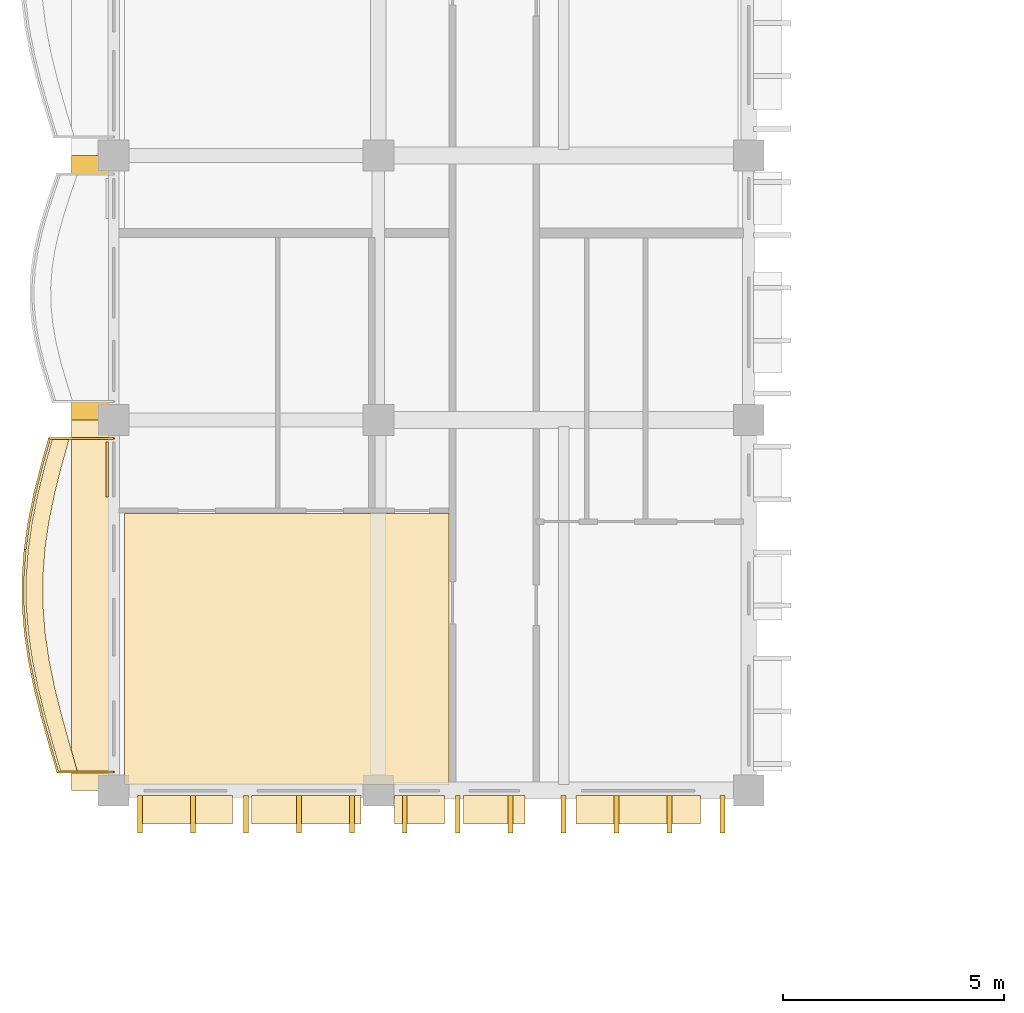
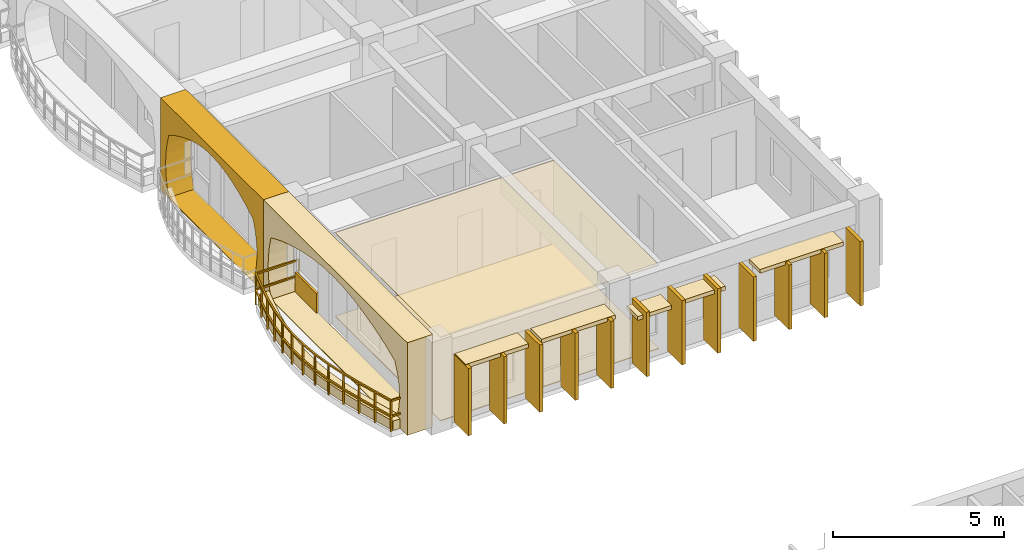
# One storey, part 77 of 101: 23 coverings, 1 railing.
"""IFC4 building model written with IfcOpenShell, lengths in metres."""

import ifcopenshell
import ifcopenshell.guid

model = None  # the IFC model being written
_history = None  # IfcOwnerHistory: only IFC2X3 demands one
_inside = {}  # id of a spatial element -> (the spatial element, [elements in it])
_under = {}  # id of a project, library or spatial element -> (it, [spatial elements below it])
_declared = {}  # id of a project -> (the project, [libraries it declares])
_typed = {}  # id of a type object -> (the type object, [elements of that type])
_made_of = {}  # id of a material, layer set ... -> (it, [elements and type objects made of it])


def new_model(schema):
    """Start an empty IFC model of exactly this schema.

    Asked for "IFC4X3", IfcOpenShell would pick the latest addendum, in which some entities
    have other attributes; the version numbers below select the first issue.
    IFC2X3 requires an IfcOwnerHistory on every rooted entity: one is made here for all.
    """
    global model, _history
    if schema == "IFC4X3":
        model = ifcopenshell.file(schema_version=(4, 3, 0, 0))
    else:
        model = ifcopenshell.file(schema=schema)
    _inside.clear()
    _under.clear()
    _declared.clear()
    _typed.clear()
    _made_of.clear()
    _history = None
    if model.schema == "IFC2X3":
        org = make("IfcOrganization", Name="unknown")
        user = make(
            "IfcPersonAndOrganization",
            ThePerson=make("IfcPerson", FamilyName="unknown"),
            TheOrganization=org,
        )
        app = make(
            "IfcApplication",
            ApplicationDeveloper=org,
            Version="unknown",
            ApplicationFullName="unknown",
            ApplicationIdentifier="unknown",
        )
        _history = make(
            "IfcOwnerHistory",
            OwningUser=user,
            OwningApplication=app,
            ChangeAction="ADDED",
            CreationDate=0,
        )
    return model


def make(cls, **values):
    """One entity of the class cls with the attributes given. An attribute that is None is left unset."""
    return model.create_entity(
        cls, **{name: value for name, value in values.items() if value is not None}
    )


def rooted(cls, **values):
    """An entity with a GlobalId (a new one), such as an element, a storey or a relation."""
    return make(cls, GlobalId=ifcopenshell.guid.new(), OwnerHistory=_history, **values)


def si_unit(unit_type, name, prefix=None):
    """IfcSIUnit, for example si_unit("LENGTHUNIT", "METRE", prefix="MILLI")."""
    return make("IfcSIUnit", UnitType=unit_type, Prefix=prefix, Name=name)


def assignment(units):
    """IfcUnitAssignment: the units of a project."""
    return None if units is None else make("IfcUnitAssignment", Units=units)


def point(xyz):
    """IfcCartesianPoint."""
    return None if xyz is None else make("IfcCartesianPoint", Coordinates=xyz)


def direction(xyz):
    """IfcDirection."""
    return None if xyz is None else make("IfcDirection", DirectionRatios=xyz)


def frame(location, z_axis=None, x_axis=None):
    """IfcAxis2Placement3D, a coordinate frame: its origin and axes. An axis left out is left unset."""
    return make(
        "IfcAxis2Placement3D",
        Location=point(location),
        Axis=direction(z_axis),
        RefDirection=direction(x_axis),
    )


def frame_2d(location, x_axis=None):
    """IfcAxis2Placement2D, a coordinate frame in the plane: its origin and x axis."""
    return make(
        "IfcAxis2Placement2D", Location=point(location), RefDirection=direction(x_axis)
    )


def origin():
    """The frame at (0, 0, 0) with its axes left unset."""
    return frame((0.0, 0.0, 0.0))


def origin_2d():
    """The frame at (0, 0) in the plane with its x axis left unset."""
    return frame_2d((0.0, 0.0))


def place(relative_to, where):
    """IfcLocalPlacement: puts the frame where relative to a parent placement (None: the world)."""
    return make(
        "IfcLocalPlacement", PlacementRelTo=relative_to, RelativePlacement=where
    )


def context(
    kind, dimensions, precision=None, world=None, true_north=None, identifier=None
):
    """IfcGeometricRepresentationContext, for example the 3D "Model" context."""
    return make(
        "IfcGeometricRepresentationContext",
        ContextIdentifier=identifier,
        ContextType=kind,
        CoordinateSpaceDimension=dimensions,
        Precision=precision,
        WorldCoordinateSystem=world,
        TrueNorth=true_north,
    )


def subcontext(parent, identifier, kind, view, scale=None):
    """IfcGeometricRepresentationSubContext, for example "Body" below "Model"."""
    return make(
        "IfcGeometricRepresentationSubContext",
        ContextIdentifier=identifier,
        ContextType=kind,
        ParentContext=parent,
        TargetScale=scale,
        TargetView=view,
    )


def project(units=None, contexts=None):
    """IfcProject with its units and contexts."""
    return rooted(
        "IfcProject",
        Name="project",
        RepresentationContexts=contexts,
        UnitsInContext=assignment(units),
    )


def spatial(cls, under=None, at=None, **own):
    """A site, building, storey or space (cls), placed at a placement, below another one or the project."""
    s = rooted(cls, ObjectPlacement=at, **own)
    if under is not None:
        _under.setdefault(under.id(), (under, []))[1].append(s)
    return s


def polyline(points):
    """IfcPolyline through the points."""
    return make("IfcPolyline", Points=[point(p) for p in points])


def profile(cls, at=None, kind="AREA", **sizes):
    """A parametric profile (cls). Its sizes go by their IFC names, for example OverallWidth=200.0."""
    return make(cls, ProfileType=kind, Position=at, **sizes)


def rectangle(**sizes):
    """IfcRectangleProfileDef."""
    return profile("IfcRectangleProfileDef", **sizes)


def outline(outer, holes=None, kind="AREA"):
    """IfcArbitraryClosedProfileDef: a profile drawn as a closed curve; with holes, ...WithVoids."""
    if holes is None:
        return make("IfcArbitraryClosedProfileDef", ProfileType=kind, OuterCurve=outer)
    return make(
        "IfcArbitraryProfileDefWithVoids",
        ProfileType=kind,
        OuterCurve=outer,
        InnerCurves=holes,
    )


def extrude(swept, where, along, depth):
    """IfcExtrudedAreaSolid: the profile swept, set in the frame where, extruded along a direction by depth."""
    return make(
        "IfcExtrudedAreaSolid",
        SweptArea=swept,
        Position=where,
        ExtrudedDirection=direction(along),
        Depth=depth,
    )


def shape(context_of_items, identifier, shape_type, items):
    """IfcShapeRepresentation: the items that make up one representation, for example the "Body"."""
    return make(
        "IfcShapeRepresentation",
        ContextOfItems=context_of_items,
        RepresentationIdentifier=identifier,
        RepresentationType=shape_type,
        Items=items,
    )


def material(Name=None, Category=None):
    """IfcMaterial."""
    return make("IfcMaterial", Name=Name, Category=Category)


def layer(
    of_material, thickness, ventilated=None, Name=None, Category=None, Priority=None
):
    """IfcMaterialLayer: one layer of a wall or slab, of a material (None: an air gap)."""
    return make(
        "IfcMaterialLayer",
        Material=of_material,
        LayerThickness=thickness,
        IsVentilated=ventilated,
        Name=Name,
        Category=Category,
        Priority=Priority,
    )


def layer_set(layers, Name=None):
    """IfcMaterialLayerSet."""
    return make("IfcMaterialLayerSet", MaterialLayers=layers, LayerSetName=Name)


def made_of(thing, what):
    """Note that an element or type object is made of a material, layer set ...; save() writes the relation."""
    if what is not None:
        _made_of.setdefault(what.id(), (what, []))[1].append(thing)
    return thing


def type_object(cls, material=None, **own):
    """A type object (cls), such as IfcWallType, which elements share."""
    return made_of(rooted(cls, **own), material)


def element(
    cls,
    number,
    at=None,
    inside=None,
    cuts=None,
    type_object=None,
    material=None,
    context=None,
    identifier="Body",
    shape_type=None,
    held_by="IfcProductDefinitionShape",
    body=None,
    shapes=None,
    **own,
):
    """One element of the class cls, such as IfcWall. Its Tag is "e" and its number.

    at: its placement. inside: the storey or other place that contains it. cuts: it is an
    opening in that element (IfcRelVoidsElement). A single representation is given by context,
    identifier, shape_type and body (its items); several are given by shapes. held_by: the class
    of the entity that holds the representations. save() writes the other relations.
    """
    e = rooted(cls, Tag="e%d" % number, ObjectPlacement=at, **own)
    if body is not None:
        shapes = [shape(context, identifier, shape_type, body)]
    if shapes is not None:
        e.Representation = make(held_by, Representations=shapes)
    if inside is not None:
        _inside.setdefault(inside.id(), (inside, []))[1].append(e)
    if cuts is not None:
        rooted(
            "IfcRelVoidsElement", RelatingBuildingElement=cuts, RelatedOpeningElement=e
        )
    if type_object is not None:
        _typed.setdefault(type_object.id(), (type_object, []))[1].append(e)
    return made_of(e, material)


def aggregate(whole, parts):
    """IfcRelAggregates: a whole, such as a stair, and the parts it consists of."""
    return rooted("IfcRelAggregates", RelatingObject=whole, RelatedObjects=parts)


def save(model, path):
    """Write the relations noted so far, then the file.

    IfcRelAggregates (storeys below a building ...), IfcRelContainedInSpatialStructure (elements
    in a storey), IfcRelDefinesByType, IfcRelAssociatesMaterial and IfcRelDeclares: one each for
    every whole, place, type object, material and project.
    """
    for whole, parts in _under.values():
        aggregate(whole, parts)
    for where, things in _inside.values():
        rooted(
            "IfcRelContainedInSpatialStructure",
            RelatedElements=things,
            RelatingStructure=where,
        )
    for kind, things in _typed.values():
        rooted("IfcRelDefinesByType", RelatedObjects=things, RelatingType=kind)
    for what, things in _made_of.values():
        rooted("IfcRelAssociatesMaterial", RelatedObjects=things, RelatingMaterial=what)
    for by, libraries in _declared.values():
        rooted("IfcRelDeclares", RelatingContext=by, RelatedDefinitions=libraries)
    model.write(path)


model = new_model("IFC4")

# Units and contexts
model_context = context("Model", 3, precision=1e-05, world=origin(), true_north=direction((0.0, 1.0)))
body_context = subcontext(model_context, "Body", "Model", "MODEL_VIEW")
ifc_project = project(units=[si_unit("LENGTHUNIT", "METRE"), si_unit("AREAUNIT", "SQUARE_METRE"), si_unit("VOLUMEUNIT", "CUBIC_METRE"), si_unit("PLANEANGLEUNIT", "RADIAN"), si_unit("MASSUNIT", "GRAM", prefix="KILO"), si_unit("THERMODYNAMICTEMPERATUREUNIT", "KELVIN")], contexts=[model_context])

# Site, building, storey
site_placement = place(None, origin())
site = spatial("IfcSite", under=ifc_project, at=site_placement, CompositionType="ELEMENT")
building_placement = place(site_placement, origin())
building = spatial("IfcBuilding", under=site, at=building_placement, Name="Thalorik Housing Commons", CompositionType="ELEMENT")
storey_placement = place(building_placement, frame((0.0, 0.0, 8.10009765625)))
storey = spatial("IfcBuildingStorey", under=building, at=storey_placement, Name="L02", CompositionType="ELEMENT", Elevation=8.10009765625)

# Coverings
ifc_material_1 = material(Name="Precast concrete C40/50", Category="concrete")
ifc_layer_1 = layer(ifc_material_1, 0.85009765625, Name="Precast concrete C40/50", Category="concrete")
ifc_layer_set_1 = layer_set([ifc_layer_1], Name="Precast concrete C40/50")
covering_type_1 = type_object("IfcCoveringType", Name="ARC-CLD-CUSH-850", PredefinedType="CLADDING", material=ifc_layer_set_1)
covering_1_placement = place(storey_placement, frame((7.867431640625, 83.39990234375, 0.0), z_axis=(0.0, 0.0, 1.0), x_axis=(0.0, -1.0, 0.0)))
element("IfcCovering", 1, at=covering_1_placement, inside=storey, type_object=covering_type_1, Name="L02 White Precast Curved Cushion Bay Frame 202", PredefinedType="CLADDING", context=body_context, shape_type="SweptSolid", body=[
    extrude(outline(polyline([(-3.0, 0.0), (3.0, 0.0), (3.0, 3.300048828125), (-3.0, 3.300048828125), (-3.0, 0.0)]), holes=[polyline([(2.39990234375, 0.02490234375), (2.526611328125, 0.394287109375), (2.602783203125, 0.76318359375), (2.6279296875, 1.132568359375), (2.602783203125, 1.501708984375), (2.526611328125, 1.870849609375), (2.39990234375, 2.239990234375), (1.989501953125, 2.4833984375), (1.5791015625, 2.6748046875), (1.168701171875, 2.82958984375), (0.75830078125, 2.94482421875), (0.347900390625, 3.01611328125), (-0.0625, 3.0400390625), (-0.472900390625, 3.01611328125), (-0.88330078125, 2.94482421875), (-1.293701171875, 2.82958984375), (-1.7041015625, 2.6748046875), (-2.114501953125, 2.4833984375), (-2.52490234375, 2.239990234375), (-2.625244140625, 1.870849609375), (-2.685302734375, 1.501708984375), (-2.70556640625, 1.132568359375), (-2.685302734375, 0.76318359375), (-2.625244140625, 0.394287109375), (-2.52490234375, 0.02490234375), (2.39990234375, 0.02490234375)])]), frame((0.0, 0.425048828125, 0.0), z_axis=(0.0, -1.0, 0.0), x_axis=(1.0, 0.0, 0.0)), (0.0, 0.0, 1.0), 0.85009765625),
])
covering_2_placement = place(storey_placement, frame((7.867431640625, 76.199951171875, 0.0), z_axis=(0.0, 0.0, 1.0), x_axis=(0.0, -1.0, 0.0)))
element("IfcCovering", 2, at=covering_2_placement, inside=storey, type_object=covering_type_1, Name="L02 White Precast Curved Cushion Bay Frame 204", PredefinedType="CLADDING", context=body_context, shape_type="SweptSolid", body=[
    extrude(outline(polyline([(-4.199951171875, 0.0), (4.199951171875, 0.0), (4.199951171875, 3.300048828125), (-4.199951171875, 3.300048828125), (-4.199951171875, 0.0)]), holes=[polyline([(3.467529296875, 0.02490234375), (3.62451171875, 0.390869140625), (3.718505859375, 0.756591796875), (3.75, 1.12255859375), (3.718505859375, 1.48828125), (3.62451171875, 1.854248046875), (3.467529296875, 2.219970703125), (2.865478515625, 2.469482421875), (2.263671875, 2.66552734375), (1.661865234375, 2.824462890625), (1.06005859375, 2.9423828125), (0.4580078125, 3.015380859375), (-0.143798828125, 3.0400390625), (-0.74560546875, 3.015380859375), (-1.347412109375, 2.9423828125), (-1.949462890625, 2.824462890625), (-2.55126953125, 2.66552734375), (-3.153076171875, 2.469482421875), (-3.7548828125, 2.219970703125), (-3.848876953125, 1.854248046875), (-3.9052734375, 1.48828125), (-3.924072265625, 1.12255859375), (-3.9052734375, 0.756591796875), (-3.848876953125, 0.390869140625), (-3.7548828125, 0.02490234375), (3.467529296875, 0.02490234375)])]), frame((0.0, 0.425048828125, 0.0), z_axis=(0.0, -1.0, 0.0), x_axis=(1.0, 0.0, 0.0)), (0.0, 0.0, 1.0), 0.85009765625),
])
ifc_layer_2 = layer(ifc_material_1, 0.85009765625, Name="Precast concrete C40/50", Category="concrete")
ifc_layer_set_2 = layer_set([ifc_layer_2], Name="Precast concrete C40/50")
covering_type_2 = type_object("IfcCoveringType", Name="ARC-CLD-FIN-850", PredefinedType="CLADDING", material=ifc_layer_set_2)
for number, where, z_axis, x_axis, name in (
    (3, (9.0, 71.467529296875, 0.039794921875), (0.0, 0.0, 1.0), (1.0, 0.0, 0.0), "L02 Courtyard Precast Vertical Brise-Soleil Fin 206"),
    (4, (10.199951171875, 71.467529296875, 0.039794921875), (0.0, 0.0, 1.0), (1.0, 0.0, 0.0), "L02 Courtyard Precast Vertical Brise-Soleil Fin 207"),
    (5, (11.39990234375, 71.467529296875, 0.039794921875), (0.0, 0.0, 1.0), (1.0, 0.0, 0.0), "L02 Courtyard Precast Vertical Brise-Soleil Fin 208"),
    (6, (12.60009765625, 71.467529296875, 0.039794921875), (0.0, 0.0, 1.0), (1.0, 0.0, 0.0), "L02 Courtyard Precast Vertical Brise-Soleil Fin 209"),
    (7, (13.800048828125, 71.467529296875, 0.039794921875), (0.0, 0.0, 1.0), (1.0, 0.0, 0.0), "L02 Courtyard Precast Vertical Brise-Soleil Fin 210"),
):
    element("IfcCovering", number, at=place(storey_placement, frame(where, z_axis=z_axis, x_axis=x_axis)), inside=storey, type_object=covering_type_2, Name=name, PredefinedType="CLADDING", context=body_context, shape_type="SweptSolid", body=[
        extrude(rectangle(XDim=0.110107421875, YDim=0.85009765625, at=origin_2d()), origin(), (0.0, 0.0, 1.0), 2.39501953125),
    ])
for number, where, z_axis, x_axis, name in (
    (8, (15.0, 71.467529296875, 0.0400390625), (0.0, 0.0, 1.0), (1.0, 0.0, 0.0), "L02 Courtyard Precast Vertical Brise-Soleil Fin 213"),
    (9, (16.199951171875, 71.467529296875, 0.0400390625), (0.0, 0.0, 1.0), (1.0, 0.0, 0.0), "L02 Courtyard Precast Vertical Brise-Soleil Fin 214"),
    (10, (17.39990234375, 71.467529296875, 0.0400390625), (0.0, 0.0, 1.0), (1.0, 0.0, 0.0), "L02 Courtyard Precast Vertical Brise-Soleil Fin 215"),
    (11, (18.60009765625, 71.467529296875, 0.0400390625), (0.0, 0.0, 1.0), (1.0, 0.0, 0.0), "L02 Courtyard Precast Vertical Brise-Soleil Fin 216"),
    (12, (19.800048828125, 71.467529296875, 0.0400390625), (0.0, 0.0, 1.0), (1.0, 0.0, 0.0), "L02 Courtyard Precast Vertical Brise-Soleil Fin 217"),
    (13, (21.0, 71.467529296875, 0.0400390625), (0.0, 0.0, 1.0), (1.0, 0.0, 0.0), "L02 Courtyard Precast Vertical Brise-Soleil Fin 218"),
    (14, (22.199951171875, 71.467529296875, 0.0400390625), (0.0, 0.0, 1.0), (1.0, 0.0, 0.0), "L02 Courtyard Precast Vertical Brise-Soleil Fin 219"),
):
    element("IfcCovering", number, at=place(storey_placement, frame(where, z_axis=z_axis, x_axis=x_axis)), inside=storey, type_object=covering_type_2, Name=name, PredefinedType="CLADDING", context=body_context, shape_type="SweptSolid", body=[
        extrude(rectangle(XDim=0.110107421875, YDim=0.85009765625, at=origin_2d()), origin(), (0.0, 0.0, 1.0), 2.294921875),
    ])
ifc_layer_3 = layer(ifc_material_1, 0.64990234375, Name="Precast concrete C40/50", Category="concrete")
ifc_layer_set_3 = layer_set([ifc_layer_3], Name="Precast concrete C40/50")
covering_type_3 = type_object("IfcCoveringType", Name="ARC-CLD-HOOD-650", PredefinedType="CLADDING", material=ifc_layer_set_3)
covering_3_placement = place(storey_placement, frame((10.030029296875, 71.5673828125, 2.31005859375), z_axis=(0.0, 0.0, 1.0), x_axis=(1.0, 0.0, 0.0)))
element("IfcCovering", 15, at=covering_3_placement, inside=storey, type_object=covering_type_3, Name="L02 Courtyard Precast Window Sun-Hood 211", PredefinedType="CLADDING", context=body_context, shape_type="SweptSolid", body=[
    extrude(rectangle(XDim=2.1201171875, YDim=0.64990234375, at=origin_2d()), origin(), (0.0, 0.0, 1.0), 0.139892578125),
])
covering_4_placement = place(storey_placement, frame((12.77001953125, 71.5673828125, 2.31005859375), z_axis=(0.0, 0.0, 1.0), x_axis=(1.0, 0.0, 0.0)))
element("IfcCovering", 16, at=covering_4_placement, inside=storey, type_object=covering_type_3, Name="L02 Courtyard Precast Window Sun-Hood 212", PredefinedType="CLADDING", context=body_context, shape_type="SweptSolid", body=[
    extrude(rectangle(XDim=2.47998046875, YDim=0.64990234375, at=origin_2d()), origin(), (0.0, 0.0, 1.0), 0.139892578125),
])
covering_5_placement = place(storey_placement, frame((15.3349609375, 71.5673828125, 1.98974609375), z_axis=(0.0, 0.0, 1.0), x_axis=(1.0, 0.0, 0.0)))
element("IfcCovering", 17, at=covering_5_placement, inside=storey, type_object=covering_type_3, Name="L02 Courtyard Precast Window Sun-Hood 220", PredefinedType="CLADDING", context=body_context, shape_type="SweptSolid", body=[
    extrude(rectangle(XDim=1.139892578125, YDim=0.64990234375, at=origin_2d()), origin(), (0.0, 0.0, 1.0), 0.139892578125),
])
covering_6_placement = place(storey_placement, frame((17.030029296875, 71.5673828125, 2.0400390625), z_axis=(0.0, 0.0, 1.0), x_axis=(1.0, 0.0, 0.0)))
element("IfcCovering", 18, at=covering_6_placement, inside=storey, type_object=covering_type_3, Name="L02 Courtyard Precast Window Sun-Hood 221", PredefinedType="CLADDING", context=body_context, shape_type="SweptSolid", body=[
    extrude(rectangle(XDim=1.389892578125, YDim=0.64990234375, at=origin_2d()), origin(), (0.0, 0.0, 1.0), 0.139892578125),
])
covering_7_placement = place(storey_placement, frame((20.294921875, 71.5673828125, 2.22509765625), z_axis=(0.0, 0.0, 1.0), x_axis=(1.0, 0.0, 0.0)))
element("IfcCovering", 19, at=covering_7_placement, inside=storey, type_object=covering_type_3, Name="L02 Courtyard Precast Window Sun-Hood 222", PredefinedType="CLADDING", context=body_context, shape_type="SweptSolid", body=[
    extrude(rectangle(XDim=2.820068359375, YDim=0.64990234375, at=origin_2d()), origin(), (0.0, 0.0, 1.0), 0.139892578125),
])
ifc_material_2 = material(Name="Mineral ochre architectural terracotta panel", Category="masonry")
ifc_layer_4 = layer(ifc_material_2, 0.06494140625, Name="Mineral ochre architectural terracotta panel", Category="masonry")
ifc_layer_set_4 = layer_set([ifc_layer_4], Name="Mineral ochre architectural terracotta panel")
covering_type_4 = type_object("IfcCoveringType", Name="ARC-CLD-YEL-65", PredefinedType="CLADDING", material=ifc_layer_set_4)
covering_8_placement = place(storey_placement, frame((8.2548828125, 79.280029296875, 0.0498046875), z_axis=(0.0, 0.0, 1.0), x_axis=(0.0, -1.0, 0.0)))
element("IfcCovering", 20, at=covering_8_placement, inside=storey, type_object=covering_type_4, Name="L02 De Stijl Recessed Window Spandrel 205", PredefinedType="CLADDING", context=body_context, shape_type="SweptSolid", body=[
    extrude(rectangle(XDim=1.25, YDim=0.06494140625, at=origin_2d()), origin(), (0.0, 0.0, 1.0), 0.699951171875),
])
ifc_material_3 = material(Name="Fire-rated calcium silicate corridor ceiling")
ifc_layer_5 = layer(ifc_material_3, 0.030029296875, Name="Fire-rated calcium silicate corridor ceiling")
ifc_layer_set_5 = layer_set([ifc_layer_5], Name="Fire-rated calcium silicate corridor ceiling")
covering_type_5 = type_object("IfcCoveringType", Name="ARC-COV-CEIL-05", PredefinedType="CEILING", material=ifc_layer_set_5)
covering_9_placement = place(storey_placement, frame((0.0, 0.0, 2.969970703125)))
element("IfcCovering", 21, at=covering_9_placement, inside=storey, type_object=covering_type_5, Name="L02 Family Lounge Suspended Ceiling", PredefinedType="CEILING", context=body_context, shape_type="SweptSolid", body=[
    extrude(outline(polyline([(16.0, 78.280029296875), (8.639892578125, 78.280029296875), (8.639892578125, 72.139892578125), (16.0, 72.139892578125), (16.0, 78.280029296875)])), origin(), (0.0, 0.0, 1.0), 0.030029296875),
])
ifc_material_4 = material(Name="Heavy-duty porcelain metro vestibule tile")
ifc_layer_6 = layer(ifc_material_4, 0.028076171875, Name="Heavy-duty porcelain metro vestibule tile")
ifc_layer_set_6 = layer_set([ifc_layer_6], Name="Heavy-duty porcelain metro vestibule tile")
covering_type_6 = type_object("IfcCoveringType", Name="ARC-COV-FLR-05", PredefinedType="FLOORING", material=ifc_layer_set_6)
covering_10_placement = place(storey_placement, origin())
element("IfcCovering", 22, at=covering_10_placement, inside=storey, type_object=covering_type_6, Name="L02 Family Lounge Flooring", PredefinedType="FLOORING", context=body_context, shape_type="SweptSolid", body=[
    extrude(outline(polyline([(16.0, 78.280029296875), (8.639892578125, 78.280029296875), (8.639892578125, 72.139892578125), (16.0, 72.139892578125), (16.0, 78.280029296875)])), origin(), (0.0, 0.0, 1.0), 0.02783203125),
])
ifc_material_5 = material(Name="Planted vegetated substrate and terracotta trough", Category="masonry")
ifc_layer_7 = layer(ifc_material_5, 0.340087890625, Name="Planted vegetated substrate and terracotta trough", Category="masonry")
ifc_layer_set_7 = layer_set([ifc_layer_7], Name="Planted vegetated substrate and terracotta trough")
covering_type_7 = type_object("IfcCoveringType", Name="ARC-COV-PLANTER", PredefinedType="USERDEFINED", material=ifc_layer_set_7)
covering_11_placement = place(storey_placement, origin())
element("IfcCovering", 23, at=covering_11_placement, inside=storey, type_object=covering_type_7, Name="L02 Balcony Slab-Edge Planted Trough 5322", ObjectType="PLANTER", PredefinedType="USERDEFINED", context=body_context, shape_type="SweptSolid", body=[
    extrude(outline(polyline([(7.0126953125, 79.97998046875), (6.8359375, 79.35009765625), (6.677978515625, 78.719970703125), (6.5498046875, 78.090087890625), (6.4599609375, 77.4599609375), (6.41455078125, 76.830078125), (6.41650390625, 76.199951171875), (6.4658203125, 75.570068359375), (6.55859375, 74.93994140625), (6.6884765625, 74.31005859375), (6.84619140625, 73.679931640625), (7.02099609375, 73.050048828125), (7.20068359375, 72.419921875), (7.580810546875, 72.419921875), (7.401123046875, 73.050048828125), (7.226318359375, 73.679931640625), (7.068359375, 74.31005859375), (6.938720703125, 74.93994140625), (6.845703125, 75.570068359375), (6.796630859375, 76.199951171875), (6.79443359375, 76.830078125), (6.83984375, 77.4599609375), (6.9296875, 78.090087890625), (7.05810546875, 78.719970703125), (7.2158203125, 79.35009765625), (7.392578125, 79.97998046875), (7.0126953125, 79.97998046875)])), origin(), (0.0, 0.0, 1.0), 0.33984375),
])

# Railing
ifc_material_6 = material(Name="Steel S355", Category="steel")
railing_type = type_object("IfcRailingType", Name="ARC-RL-BAL-112", PredefinedType="BALUSTRADE", material=ifc_material_6)
railing_placement = place(storey_placement, frame((8.39990234375, 79.97998046875, 0.0)))
element("IfcRailing", 24, at=railing_placement, inside=storey, type_object=railing_type, Name="L02 Cushion Balcony Guardrail 6", PredefinedType="BALUSTRADE", context=body_context, shape_type="SweptSolid", body=[
    extrude(rectangle(XDim=0.050048828125, YDim=0.050048828125, at=origin_2d()), frame((0.0, 0.0, 1.09521484375), z_axis=(-1.0, 0.0, 0.0), x_axis=(0.0, -1.0, 0.0)), (0.0, 0.0, 1.0), 1.457275390625),
    extrude(rectangle(XDim=0.050048828125, YDim=0.050048828125, at=origin_2d()), frame((0.0, 0.0, 0.53515625), z_axis=(-1.0, 0.0, 0.0), x_axis=(0.0, -1.0, 0.0)), (0.0, 0.0, 1.0), 1.457275390625),
    extrude(rectangle(XDim=0.050048828125, YDim=0.050048828125, at=origin_2d()), frame((-1.457275390625, 0.0, 1.09521484375), z_axis=(-0.270183563023, -0.962808829557, 0.0), x_axis=(0.962808829557, -0.270183563023, 0.0)), (0.0, 0.0, 1.0), 0.654296875),
    extrude(rectangle(XDim=0.050048828125, YDim=0.050048828125, at=origin_2d()), frame((-1.457275390625, 0.0, 0.53515625), z_axis=(-0.270183563023, -0.962808829557, 0.0), x_axis=(0.962808829557, -0.270183563023, 0.0)), (0.0, 0.0, 1.0), 0.654296875),
    extrude(rectangle(XDim=0.050048828125, YDim=0.050048828125, at=origin_2d()), frame((-1.634033203125, -0.6298828125, 1.09521484375), z_axis=(-0.243154570848, -0.969987553877, 0.0), x_axis=(0.969987553877, -0.243154570848, 0.0)), (0.0, 0.0, 1.0), 0.649658203125),
    extrude(rectangle(XDim=0.050048828125, YDim=0.050048828125, at=origin_2d()), frame((-1.634033203125, -0.6298828125, 0.53515625), z_axis=(-0.243154570848, -0.969987553877, 0.0), x_axis=(0.969987553877, -0.243154570848, 0.0)), (0.0, 0.0, 1.0), 0.649658203125),
    extrude(rectangle(XDim=0.050048828125, YDim=0.050048828125, at=origin_2d()), frame((-1.7919921875, -1.260009765625, 1.09521484375), z_axis=(-0.199401877541, -0.979917798202, 0.0), x_axis=(0.979917798202, -0.199401877541, 0.0)), (0.0, 0.0, 1.0), 0.642822265625),
    extrude(rectangle(XDim=0.050048828125, YDim=0.050048828125, at=origin_2d()), frame((-1.7919921875, -1.260009765625, 0.53515625), z_axis=(-0.199401877541, -0.979917798202, 0.0), x_axis=(0.979917798202, -0.199401877541, 0.0)), (0.0, 0.0, 1.0), 0.642822265625),
    extrude(rectangle(XDim=0.050048828125, YDim=0.050048828125, at=origin_2d()), frame((-1.920166015625, -1.889892578125, 1.09521484375), z_axis=(-0.14115285376, -0.989987814004, 0.0), x_axis=(0.989987814004, -0.14115285376, 0.0)), (0.0, 0.0, 1.0), 0.636474609375),
    extrude(rectangle(XDim=0.050048828125, YDim=0.050048828125, at=origin_2d()), frame((-1.920166015625, -1.889892578125, 0.53515625), z_axis=(-0.14115285376, -0.989987814004, 0.0), x_axis=(0.989987814004, -0.14115285376, 0.0)), (0.0, 0.0, 1.0), 0.636474609375),
    extrude(rectangle(XDim=0.050048828125, YDim=0.050048828125, at=origin_2d()), frame((-2.010009765625, -2.52001953125, 1.09521484375), z_axis=(-0.071906402117, -0.997411384201, 0.0), x_axis=(0.997411384201, -0.071906402117, 0.0)), (0.0, 0.0, 1.0), 0.631591796875),
    extrude(rectangle(XDim=0.050048828125, YDim=0.050048828125, at=origin_2d()), frame((-2.010009765625, -2.52001953125, 0.53515625), z_axis=(-0.071906402117, -0.997411384201, 0.0), x_axis=(0.997411384201, -0.071906402117, 0.0)), (0.0, 0.0, 1.0), 0.631591796875),
    extrude(rectangle(XDim=0.050048828125, YDim=0.050048828125, at=origin_2d()), frame((-2.055419921875, -3.14990234375, 1.09521484375), z_axis=(0.003486999335, -0.999993920399, 0.0), x_axis=(0.999993920399, 0.003486999335, 0.0)), (0.0, 0.0, 1.0), 0.630126953125),
    extrude(rectangle(XDim=0.050048828125, YDim=0.050048828125, at=origin_2d()), frame((-2.055419921875, -3.14990234375, 0.53515625), z_axis=(0.003486999335, -0.999993920399, 0.0), x_axis=(0.999993920399, 0.003486999335, 0.0)), (0.0, 0.0, 1.0), 0.630126953125),
    extrude(rectangle(XDim=0.050048828125, YDim=0.050048828125, at=origin_2d()), frame((-2.05322265625, -3.780029296875, 1.09521484375), z_axis=(0.077671619497, -0.996978996531, 0.0), x_axis=(0.996978996531, 0.077671619497, 0.0)), (0.0, 0.0, 1.0), 0.6318359375),
    extrude(rectangle(XDim=0.050048828125, YDim=0.050048828125, at=origin_2d()), frame((-2.05322265625, -3.780029296875, 0.53515625), z_axis=(0.077671619497, -0.996978996531, 0.0), x_axis=(0.996978996531, 0.077671619497, 0.0)), (0.0, 0.0, 1.0), 0.6318359375),
    extrude(rectangle(XDim=0.050048828125, YDim=0.050048828125, at=origin_2d()), frame((-2.004150390625, -4.409912109375, 1.09521484375), z_axis=(0.145659518015, -0.989334778936, 0.0), x_axis=(0.989334778936, 0.145659518015, 0.0)), (0.0, 0.0, 1.0), 0.636962890625),
    extrude(rectangle(XDim=0.050048828125, YDim=0.050048828125, at=origin_2d()), frame((-2.004150390625, -4.409912109375, 0.53515625), z_axis=(0.145659518015, -0.989334778936, 0.0), x_axis=(0.989334778936, 0.145659518015, 0.0)), (0.0, 0.0, 1.0), 0.636962890625),
    extrude(rectangle(XDim=0.050048828125, YDim=0.050048828125, at=origin_2d()), frame((-1.911376953125, -5.0400390625, 1.09521484375), z_axis=(0.201952819313, -0.979395251557, 0.0), x_axis=(0.979395251557, 0.201952819313, 0.0)), (0.0, 0.0, 1.0), 0.64306640625),
    extrude(rectangle(XDim=0.050048828125, YDim=0.050048828125, at=origin_2d()), frame((-1.911376953125, -5.0400390625, 0.53515625), z_axis=(0.201952819313, -0.979395251557, 0.0), x_axis=(0.979395251557, 0.201952819313, 0.0)), (0.0, 0.0, 1.0), 0.64306640625),
    extrude(rectangle(XDim=0.050048828125, YDim=0.050048828125, at=origin_2d()), frame((-1.781494140625, -5.669921875, 1.09521484375), z_axis=(0.242800923842, -0.970076136899, 0.0), x_axis=(0.970076136899, 0.242800923842, 0.0)), (0.0, 0.0, 1.0), 0.649658203125),
    extrude(rectangle(XDim=0.050048828125, YDim=0.050048828125, at=origin_2d()), frame((-1.781494140625, -5.669921875, 0.53515625), z_axis=(0.242800923842, -0.970076136899, 0.0), x_axis=(0.970076136899, 0.242800923842, 0.0)), (0.0, 0.0, 1.0), 0.649658203125),
    extrude(rectangle(XDim=0.050048828125, YDim=0.050048828125, at=origin_2d()), frame((-1.623779296875, -6.300048828125, 1.09521484375), z_axis=(0.267759426227, -0.963485801487, 0.0), x_axis=(0.963485801487, 0.267759426227, 0.0)), (0.0, 0.0, 1.0), 0.65380859375),
    extrude(rectangle(XDim=0.050048828125, YDim=0.050048828125, at=origin_2d()), frame((-1.623779296875, -6.300048828125, 0.53515625), z_axis=(0.267759426227, -0.963485801487, 0.0), x_axis=(0.963485801487, 0.267759426227, 0.0)), (0.0, 0.0, 1.0), 0.65380859375),
    extrude(rectangle(XDim=0.050048828125, YDim=0.050048828125, at=origin_2d()), frame((-1.44873046875, -6.929931640625, 1.09521484375), z_axis=(0.274228986988, -0.96166442312, 0.0), x_axis=(0.96166442312, 0.274228986988, 0.0)), (0.0, 0.0, 1.0), 0.6552734375),
    extrude(rectangle(XDim=0.050048828125, YDim=0.050048828125, at=origin_2d()), frame((-1.44873046875, -6.929931640625, 0.53515625), z_axis=(0.274228986988, -0.96166442312, 0.0), x_axis=(0.96166442312, 0.274228986988, 0.0)), (0.0, 0.0, 1.0), 0.6552734375),
    extrude(rectangle(XDim=0.050048828125, YDim=0.050048828125, at=origin_2d()), frame((-1.26904296875, -7.56005859375, 1.09521484375), z_axis=(1.0, 0.0, 0.0), x_axis=(0.0, 1.0, 0.0)), (0.0, 0.0, 1.0), 1.26904296875),
    extrude(rectangle(XDim=0.050048828125, YDim=0.050048828125, at=origin_2d()), frame((-1.26904296875, -7.56005859375, 0.53515625), z_axis=(1.0, 0.0, 0.0), x_axis=(0.0, 1.0, 0.0)), (0.0, 0.0, 1.0), 1.26904296875),
    extrude(rectangle(XDim=0.0419921875, YDim=0.0419921875, at=origin_2d()), origin(), (0.0, 0.0, 1.0), 1.070068359375),
    extrude(rectangle(XDim=0.0419921875, YDim=0.0419921875, at=origin_2d()), frame((-1.457275390625, 0.0, 0.0)), (0.0, 0.0, 1.0), 1.070068359375),
    extrude(rectangle(XDim=0.0419921875, YDim=0.0419921875, at=origin_2d()), frame((-1.634033203125, -0.6298828125, 0.0)), (0.0, 0.0, 1.0), 1.070068359375),
    extrude(rectangle(XDim=0.0419921875, YDim=0.0419921875, at=origin_2d()), frame((-1.7919921875, -1.260009765625, 0.0)), (0.0, 0.0, 1.0), 1.070068359375),
    extrude(rectangle(XDim=0.0419921875, YDim=0.0419921875, at=origin_2d()), frame((-1.920166015625, -1.889892578125, 0.0)), (0.0, 0.0, 1.0), 1.070068359375),
    extrude(rectangle(XDim=0.0419921875, YDim=0.0419921875, at=origin_2d()), frame((-2.010009765625, -2.52001953125, 0.0)), (0.0, 0.0, 1.0), 1.070068359375),
    extrude(rectangle(XDim=0.0419921875, YDim=0.0419921875, at=origin_2d()), frame((-2.055419921875, -3.14990234375, 0.0)), (0.0, 0.0, 1.0), 1.070068359375),
    extrude(rectangle(XDim=0.0419921875, YDim=0.0419921875, at=origin_2d()), frame((-2.05322265625, -3.780029296875, 0.0)), (0.0, 0.0, 1.0), 1.070068359375),
    extrude(rectangle(XDim=0.0419921875, YDim=0.0419921875, at=origin_2d()), frame((-2.004150390625, -4.409912109375, 0.0)), (0.0, 0.0, 1.0), 1.070068359375),
    extrude(rectangle(XDim=0.0419921875, YDim=0.0419921875, at=origin_2d()), frame((-1.911376953125, -5.0400390625, 0.0)), (0.0, 0.0, 1.0), 1.070068359375),
    extrude(rectangle(XDim=0.0419921875, YDim=0.0419921875, at=origin_2d()), frame((-1.781494140625, -5.669921875, 0.0)), (0.0, 0.0, 1.0), 1.070068359375),
    extrude(rectangle(XDim=0.0419921875, YDim=0.0419921875, at=origin_2d()), frame((-1.623779296875, -6.300048828125, 0.0)), (0.0, 0.0, 1.0), 1.070068359375),
    extrude(rectangle(XDim=0.0419921875, YDim=0.0419921875, at=origin_2d()), frame((-1.44873046875, -6.929931640625, 0.0)), (0.0, 0.0, 1.0), 1.070068359375),
    extrude(rectangle(XDim=0.0419921875, YDim=0.0419921875, at=origin_2d()), frame((-1.26904296875, -7.56005859375, 0.0)), (0.0, 0.0, 1.0), 1.070068359375),
    extrude(rectangle(XDim=0.0419921875, YDim=0.0419921875, at=origin_2d()), frame((0.0, -7.56005859375, 0.0)), (0.0, 0.0, 1.0), 1.070068359375),
])

save(model, "model.ifc")
